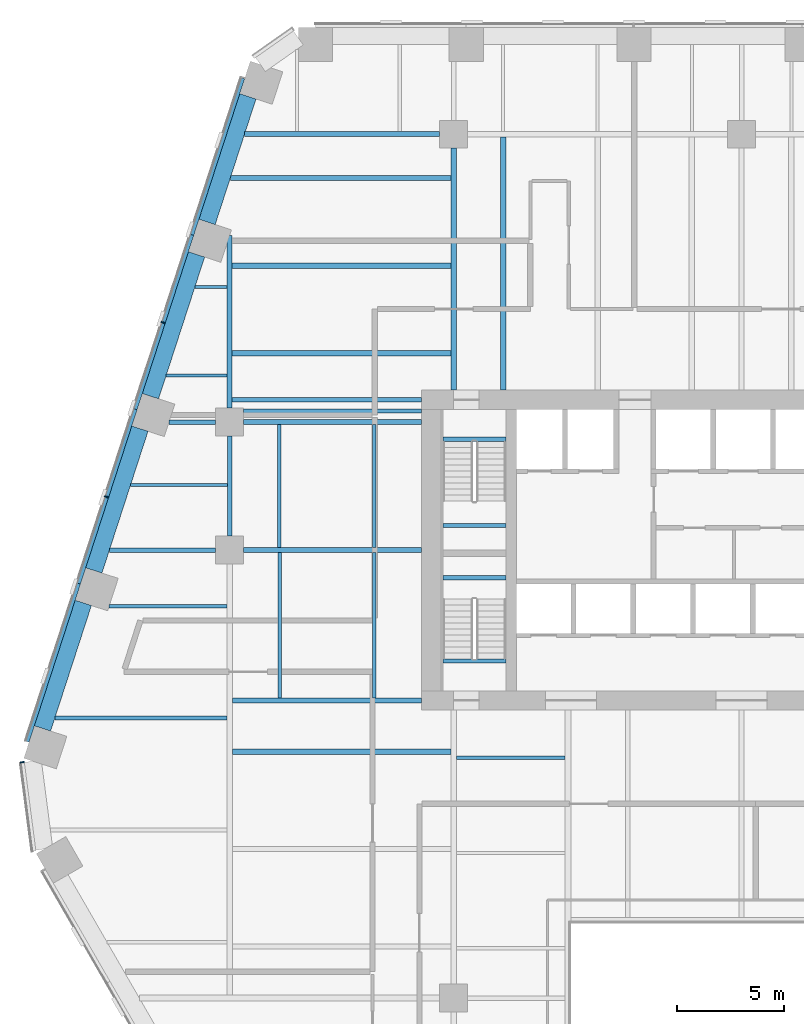
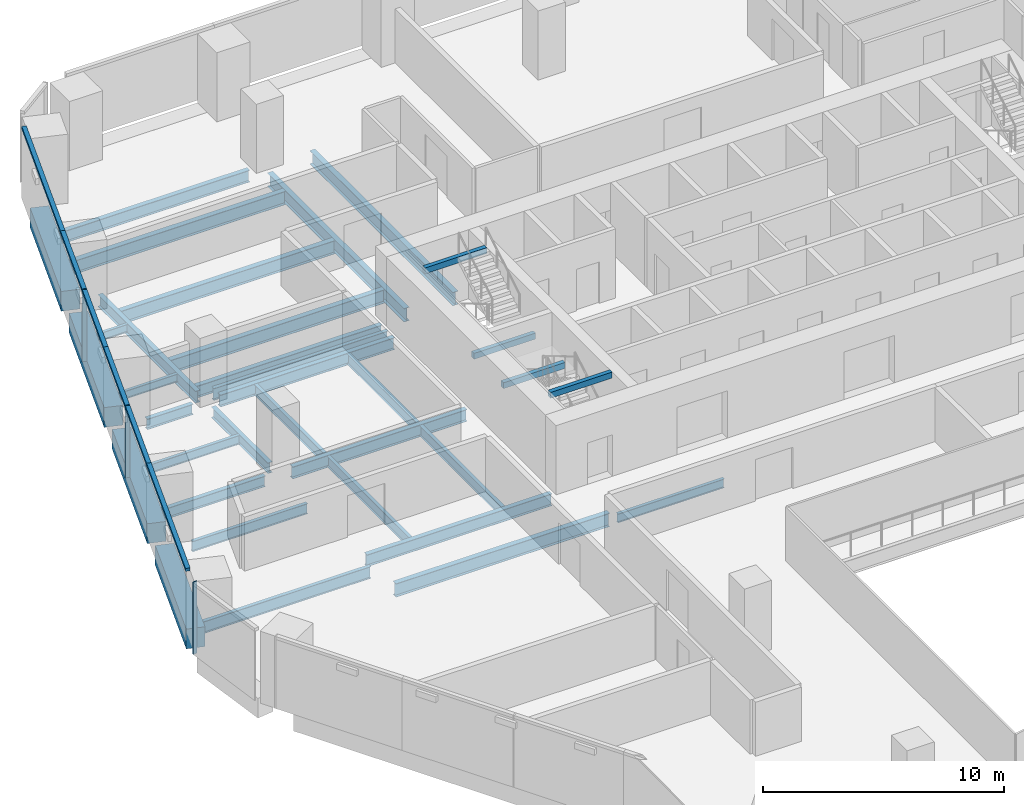
# One storey, part 8 of 21: 34 beams, 9 members, 2 elements without a shape of their own.
"""IFC4 building model written with IfcOpenShell, lengths in metres."""

from ifc_helpers import new_model, si_unit, direction, frame, origin, origin_2d, place, context, subcontext, project, spatial, rectangle, i_section, extrude, material, layer, layer_set, material_profile, profile_set, type_object, element, aggregate, save


model = new_model("IFC4")

# Units and contexts
model_context = context("Model", 3, precision=1e-05, world=origin(), true_north=direction((0.0, 1.0)))
body_context = subcontext(model_context, "Body", "Model", "MODEL_VIEW")
ifc_project = project(units=[si_unit("LENGTHUNIT", "METRE"), si_unit("AREAUNIT", "SQUARE_METRE"), si_unit("VOLUMEUNIT", "CUBIC_METRE"), si_unit("PLANEANGLEUNIT", "RADIAN"), si_unit("MASSUNIT", "GRAM", prefix="KILO")], contexts=[model_context])

# Site, building, storey
site_placement = place(None, origin())
site = spatial("IfcSite", under=ifc_project, at=site_placement, CompositionType="ELEMENT")
building_placement = place(site_placement, origin())
building = spatial("IfcBuilding", under=site, at=building_placement, Name="Isthmus Gate Tower", CompositionType="ELEMENT")
storey_placement = place(building_placement, frame((0.0, 0.0, 109.85009765625)))
storey = spatial("IfcBuildingStorey", under=building, at=storey_placement, Name="L26", CompositionType="ELEMENT", Elevation=109.85009765625)

# Curtain wall, members
ifc_material_1 = material(Name="Aluminium, pale champagne anodised", Category="aluminium")
ifc_layer = layer(ifc_material_1, 0.199951171875)
ifc_layer_set = layer_set([ifc_layer], Name="CW-1 UNITISED CURTAIN WALL 200 DEEP")
curtain_wall_type = type_object("IfcCurtainWallType", Name="CW-1 UNITISED CURTAIN WALL 200 DEEP", PredefinedType="NOTDEFINED", material=ifc_layer_set)
curtain_wall_1_placement = place(storey_placement, origin())
curtain_wall_1 = element("IfcCurtainWall", 1, at=curtain_wall_1_placement, inside=storey, type_object=curtain_wall_type, Name="CW-1 NW L26", PredefinedType="NOTDEFINED")
ifc_material_2 = material(Name="Aluminium, pale champagne anodised", Category="aluminium")
ifc_material_profile_1 = material_profile(ifc_material_2, rectangle(XDim=0.06005859375, YDim=0.199951171875, at=origin_2d()), Name="60x200")
ifc_profile_set_1 = profile_set([ifc_material_profile_1], Name="Aluminium, pale champagne anodised")
member_type_1 = type_object("IfcMemberType", Name="CW-1 MULLION 60 X 200", PredefinedType="MULLION", material=ifc_profile_set_1)
member_1_placement = place(storey_placement, frame((-27.11474609375, 18.163818359375, 0.0), z_axis=(0.0, 0.0, 1.0), x_axis=(-0.309016994375, -0.951056516295, 0.0)))
member_1 = element("IfcMember", 2, at=member_1_placement, type_object=member_type_1, Name="CW-1 mullion", PredefinedType="MULLION", context=body_context, shape_type="SweptSolid", body=[
    extrude(rectangle(XDim=0.06005859375, YDim=0.199951171875, at=origin_2d()), origin(), (0.0, 0.0, 1.0), 3.64990234375),
])
member_2_placement = place(storey_placement, frame((-29.76904296875, 9.994873046875, 0.0), z_axis=(0.0, 0.0, 1.0), x_axis=(-0.309016994375, -0.951056516295, 0.0)))
member_2 = element("IfcMember", 3, at=member_2_placement, type_object=member_type_1, Name="CW-1 mullion", PredefinedType="MULLION", context=body_context, shape_type="SweptSolid", body=[
    extrude(rectangle(XDim=0.06005859375, YDim=0.199951171875, at=origin_2d()), origin(), (0.0, 0.0, 1.0), 3.64990234375),
])

# Curtain wall, member
curtain_wall_2_placement = place(storey_placement, origin())
curtain_wall_2 = element("IfcCurtainWall", 4, at=curtain_wall_2_placement, inside=storey, type_object=curtain_wall_type, Name="CW-1 NW-SW L26", PredefinedType="NOTDEFINED")
member_3_placement = place(storey_placement, frame((-33.722900390625, -2.44482421875, 0.0), z_axis=(0.0, 0.0, 1.0), x_axis=(0.129164534, -0.991623175988, 0.0)))
member_3 = element("IfcMember", 5, at=member_3_placement, type_object=member_type_1, Name="CW-1 mullion", PredefinedType="MULLION", context=body_context, shape_type="SweptSolid", body=[
    extrude(rectangle(XDim=0.06005859375, YDim=0.199951171875, at=origin_2d()), origin(), (0.0, 0.0, 1.0), 3.64990234375),
])
aggregate(curtain_wall_2, [member_3])

# Member
ifc_material_3 = material(Name="Aluminium, pale champagne anodised", Category="aluminium")
ifc_material_profile_2 = material_profile(ifc_material_3, rectangle(XDim=0.199951171875, YDim=0.14990234375, at=origin_2d()), Name="200x150")
ifc_profile_set_2 = profile_set([ifc_material_profile_2], Name="Aluminium, pale champagne anodised")
member_type_2 = type_object("IfcMemberType", Name="CW-1 TRANSOM 200 X 150", PredefinedType="USERDEFINED", material=ifc_profile_set_2)
member_4_placement = place(storey_placement, frame((-23.389892578125, 29.6279296875, 3.574951171875), z_axis=(-0.309036077329, -0.951050315656, 0.0), x_axis=(0.951050315656, -0.309036077329, 0.0)))
member_4 = element("IfcMember", 6, at=member_4_placement, type_object=member_type_2, Name="CW-1 transom", ObjectType="TRANSOM", PredefinedType="USERDEFINED", context=body_context, shape_type="SweptSolid", body=[
    extrude(rectangle(XDim=0.199951171875, YDim=0.14990234375, at=origin_2d()), origin(), (0.0, 0.0, 1.0), 7.7294921875),
])

member_5_placement = place(storey_placement, frame((-25.778564453125, 22.27685546875, 3.574951171875), z_axis=(-0.309021801109, -0.951054954479, 0.0), x_axis=(0.951054954479, -0.309021801109, 0.0)))
member_5 = element("IfcMember", 7, at=member_5_placement, type_object=member_type_2, Name="CW-1 transom", ObjectType="TRANSOM", PredefinedType="USERDEFINED", context=body_context, shape_type="SweptSolid", body=[
    extrude(rectangle(XDim=0.199951171875, YDim=0.14990234375, at=origin_2d()), origin(), (0.0, 0.0, 1.0), 4.294677734375),
])

member_6_placement = place(storey_placement, frame((-27.1240234375, 18.13525390625, 3.574951171875), z_axis=(-0.309023496777, -0.951054403512, 0.0), x_axis=(0.951054403512, -0.309023496777, 0.0)))
member_6 = element("IfcMember", 8, at=member_6_placement, type_object=member_type_2, Name="CW-1 transom", ObjectType="TRANSOM", PredefinedType="USERDEFINED", context=body_context, shape_type="SweptSolid", body=[
    extrude(rectangle(XDim=0.199951171875, YDim=0.14990234375, at=origin_2d()), origin(), (0.0, 0.0, 1.0), 4.234619140625),
])

member_7_placement = place(storey_placement, frame((-28.4326171875, 14.10791015625, 3.574951171875), z_axis=(-0.309021801109, -0.951054954479, 0.0), x_axis=(0.951054954479, -0.309021801109, 0.0)))
member_7 = element("IfcMember", 9, at=member_7_placement, type_object=member_type_2, Name="CW-1 transom", ObjectType="TRANSOM", PredefinedType="USERDEFINED", context=body_context, shape_type="SweptSolid", body=[
    extrude(rectangle(XDim=0.199951171875, YDim=0.14990234375, at=origin_2d()), origin(), (0.0, 0.0, 1.0), 4.294677734375),
])

member_8_placement = place(storey_placement, frame((-29.7783203125, 9.96630859375, 3.574951171875), z_axis=(-0.309023496777, -0.951054403512, 0.0), x_axis=(0.951054403512, -0.309023496777, 0.0)))
member_8 = element("IfcMember", 10, at=member_8_placement, type_object=member_type_2, Name="CW-1 transom", ObjectType="TRANSOM", PredefinedType="USERDEFINED", context=body_context, shape_type="SweptSolid", body=[
    extrude(rectangle(XDim=0.199951171875, YDim=0.14990234375, at=origin_2d()), origin(), (0.0, 0.0, 1.0), 4.234619140625),
])

member_9_placement = place(storey_placement, frame((-31.0869140625, 5.93896484375, 3.574951171875), z_axis=(-0.309015907338, -0.951056869494, 0.0), x_axis=(0.951056869494, -0.309015907338, 0.0)))
member_9 = element("IfcMember", 11, at=member_9_placement, type_object=member_type_2, Name="CW-1 transom", ObjectType="TRANSOM", PredefinedType="USERDEFINED", context=body_context, shape_type="SweptSolid", body=[
    extrude(rectangle(XDim=0.199951171875, YDim=0.14990234375, at=origin_2d()), origin(), (0.0, 0.0, 1.0), 7.789306640625),
])

aggregate(curtain_wall_1, [member_4, member_5, member_1, member_6, member_7, member_2, member_8, member_9])

# Beams
ifc_material_4 = material(Name="Concrete f'c 70 MPa", Category="concrete")
ifc_material_profile_3 = material_profile(ifc_material_4, rectangle(XDim=0.800048828125, YDim=1.0, at=origin_2d()), Name="RC 800X1000")
ifc_profile_set_3 = profile_set([ifc_material_profile_3], Name="Concrete f'c 70 MPa")
beam_type_1 = type_object("IfcBeamType", Name="RC SPANDREL 800 X 1000", PredefinedType="SPANDREL", material=ifc_profile_set_3)
beam_1_placement = place(storey_placement, frame((-32.771240234375, -0.86279296875, -0.5), z_axis=(0.309012042366, 0.951058125286, 0.0), x_axis=(-0.951058125286, 0.309012042366, 0.0)))
element("IfcBeam", 12, at=beam_1_placement, inside=storey, type_object=beam_type_1, Name="str-spandrel-L26-18", PredefinedType="SPANDREL", context=body_context, shape_type="SweptSolid", body=[
    extrude(rectangle(XDim=0.800048828125, YDim=1.0, at=origin_2d()), origin(), (0.0, 0.0, 1.0), 6.189453125),
])
for number, where, z_axis, x_axis, name in (
    (13, (-30.3642578125, 6.54541015625, -0.5), (0.309029993465, 0.951052292537, 0.0), (-0.951052292537, 0.309029993465, 0.0), "str-spandrel-L26-19"),
    (14, (-27.7099609375, 14.71435546875, -0.5), (0.309029993465, 0.951052292537, 0.0), (-0.951052292537, 0.309029993465, 0.0), "str-spandrel-L26-20"),
):
    element("IfcBeam", number, at=place(storey_placement, frame(where, z_axis=z_axis, x_axis=x_axis)), inside=storey, type_object=beam_type_1, Name=name, PredefinedType="SPANDREL", context=body_context, shape_type="SweptSolid", body=[
        extrude(rectangle(XDim=0.800048828125, YDim=1.0, at=origin_2d()), origin(), (0.0, 0.0, 1.0), 6.9892578125),
    ])
beam_2_placement = place(storey_placement, frame((-25.0556640625, 22.88330078125, -0.5), z_axis=(0.309023635203, 0.951054358534, 0.0), x_axis=(-0.951054358534, 0.309023635203, 0.0)))
element("IfcBeam", 15, at=beam_2_placement, inside=storey, type_object=beam_type_1, Name="str-spandrel-L26-21", PredefinedType="SPANDREL", context=body_context, shape_type="SweptSolid", body=[
    extrude(rectangle(XDim=0.800048828125, YDim=1.0, at=origin_2d()), origin(), (0.0, 0.0, 1.0), 6.189208984375),
])
ifc_material_5 = material(Name="Concrete f'c 40 MPa", Category="concrete")
ifc_material_profile_4 = material_profile(ifc_material_5, rectangle(XDim=0.199951171875, YDim=0.300048828125, at=origin_2d()), Name="STAIR LANDING BEAM RC 200 X 300")
ifc_profile_set_4 = profile_set([ifc_material_profile_4], Name="Concrete f'c 40 MPa")
beam_type_2 = type_object("IfcBeamType", Name="STAIR LANDING BEAM RC 200 X 300", PredefinedType="BEAM", material=ifc_profile_set_4)
for number, where, z_axis, x_axis, name in (
    (16, (-14.0, 8.64990234375, 1.474853515625), (1.0, 0.0, 0.0), (0.0, 1.0, 0.0), "L26 ST1 landing beam 1"),
    (17, (-14.0, 12.7001953125, 3.349853515625), (1.0, 0.0, 0.0), (0.0, 1.0, 0.0), "L26 ST1 floor-edge seat beam"),
    (18, (-14.0, 6.199951171875, 1.474853515625), (1.0, 0.0, 0.0), (0.0, 1.0, 0.0), "L26 ST7 landing beam 1"),
    (19, (-14.0, 2.2998046875, 3.349853515625), (1.0, 0.0, 0.0), (0.0, 1.0, 0.0), "L26 ST7 floor-edge seat beam"),
):
    element("IfcBeam", number, at=place(storey_placement, frame(where, z_axis=z_axis, x_axis=x_axis)), inside=storey, type_object=beam_type_2, Name=name, PredefinedType="BEAM", context=body_context, shape_type="SweptSolid", body=[
        extrude(rectangle(XDim=0.199951171875, YDim=0.300048828125, at=origin_2d()), origin(), (0.0, 0.0, 1.0), 2.949951171875),
    ])
ifc_material_6 = material(Name="Structural steel ASTM A992 Gr 50", Category="steel")
ifc_material_profile_5 = material_profile(ifc_material_6, i_section(OverallWidth=0.1396484375, OverallDepth=0.4033203125, WebThickness=0.00634765625, FlangeThickness=0.010986328125, at=origin_2d()), Name="W16X31")
ifc_profile_set_5 = profile_set([ifc_material_profile_5], Name="Structural steel ASTM A992 Gr 50")
beam_type_3 = type_object("IfcBeamType", Name="STEEL FLOOR BEAM W16X31", PredefinedType="JOIST", material=ifc_profile_set_5)
beam_3_placement = place(storey_placement, frame((-26.976318359375, 15.677978515625, -0.351806640625), z_axis=(1.0, 0.0, 0.0), x_axis=(0.0, 1.0, 0.0)))
element("IfcBeam", 20, at=beam_3_placement, inside=storey, type_object=beam_type_3, Name="str-beam-L26-02-00", PredefinedType="JOIST", context=body_context, shape_type="SweptSolid", body=[
    extrude(i_section(OverallWidth=0.1396484375, OverallDepth=0.4033203125, WebThickness=0.00634765625, FlangeThickness=0.010986328125, at=origin_2d()), origin(), (0.0, 0.0, 1.0), 2.862060546875),
])
beam_4_placement = place(storey_placement, frame((-25.629150390625, 19.82421875, -0.351806640625), z_axis=(1.0, 0.0, 0.0), x_axis=(0.0, 1.0, 0.0)))
element("IfcBeam", 21, at=beam_4_placement, inside=storey, type_object=beam_type_3, Name="str-beam-L26-02-01", PredefinedType="JOIST", context=body_context, shape_type="SweptSolid", body=[
    extrude(i_section(OverallWidth=0.1396484375, OverallDepth=0.4033203125, WebThickness=0.00634765625, FlangeThickness=0.010986328125, at=origin_2d()), origin(), (0.0, 0.0, 1.0), 1.514892578125),
])
ifc_material_7 = material(Name="Structural steel ASTM A992 Gr 50", Category="steel")
ifc_material_profile_6 = material_profile(ifc_material_7, i_section(OverallWidth=0.15234375, OverallDepth=0.45068359375, WebThickness=0.0078125, FlangeThickness=0.010986328125, at=origin_2d()), Name="W18X35")
ifc_profile_set_6 = profile_set([ifc_material_profile_6], Name="Structural steel ASTM A992 Gr 50")
beam_type_4 = type_object("IfcBeamType", Name="STEEL FLOOR BEAM W18X35", PredefinedType="JOIST", material=ifc_profile_set_6)
beam_5_placement = place(storey_placement, frame((-28.6416015625, 10.552490234375, -0.37548828125), z_axis=(1.0, 0.0, 0.0), x_axis=(0.0, 1.0, 0.0)))
element("IfcBeam", 22, at=beam_5_placement, inside=storey, type_object=beam_type_4, Name="str-beam-L26-01-00", PredefinedType="JOIST", context=body_context, shape_type="SweptSolid", body=[
    extrude(i_section(OverallWidth=0.15234375, OverallDepth=0.45068359375, WebThickness=0.0078125, FlangeThickness=0.010986328125, at=origin_2d()), origin(), (0.0, 0.0, 1.0), 4.536865234375),
])
beam_6_placement = place(storey_placement, frame((-13.3681640625, -2.232421875, -0.37548828125), z_axis=(1.0, 0.0, 0.0), x_axis=(0.0, 1.0, 0.0)))
element("IfcBeam", 23, at=beam_6_placement, inside=storey, type_object=beam_type_4, Name="str-beam-L26-12-02", PredefinedType="JOIST", context=body_context, shape_type="SweptSolid", body=[
    extrude(i_section(OverallWidth=0.15234375, OverallDepth=0.45068359375, WebThickness=0.0078125, FlangeThickness=0.010986328125, at=origin_2d()), origin(), (0.0, 0.0, 1.0), 5.1015625),
])
ifc_material_8 = material(Name="Structural steel ASTM A992 Gr 50", Category="steel")
ifc_material_profile_7 = material_profile(ifc_material_8, i_section(OverallWidth=0.1650390625, OverallDepth=0.52392578125, WebThickness=0.009521484375, FlangeThickness=0.010986328125, at=origin_2d()), Name="W21X44")
ifc_profile_set_7 = profile_set([ifc_material_profile_7], Name="Structural steel ASTM A992 Gr 50")
beam_type_5 = type_object("IfcBeamType", Name="STEEL FLOOR BEAM W21X44", PredefinedType="JOIST", material=ifc_profile_set_7)
beam_7_placement = place(storey_placement, frame((-29.645263671875, 4.875, -0.412109375), z_axis=(1.0, 0.0, 0.0), x_axis=(0.0, 1.0, 0.0)))
element("IfcBeam", 24, at=beam_7_placement, inside=storey, type_object=beam_type_5, Name="str-beam-L26-00-03", PredefinedType="JOIST", context=body_context, shape_type="SweptSolid", body=[
    extrude(i_section(OverallWidth=0.1650390625, OverallDepth=0.52392578125, WebThickness=0.009521484375, FlangeThickness=0.010986328125, at=origin_2d()), origin(), (0.0, 0.0, 1.0), 5.511962890625),
])
for number, where, z_axis, x_axis, name in (
    (25, (-21.64990234375, 0.564208984375, -0.412109375), (0.0, 1.0, 0.0), (-1.0, 0.0, 0.0), "str-beam-L26-03-00"),
    (26, (-17.216552734375, 0.564208984375, -0.412109375), (0.0, 1.0, 0.0), (-1.0, 0.0, 0.0), "str-beam-L26-03-01"),
):
    element("IfcBeam", number, at=place(storey_placement, frame(where, z_axis=z_axis, x_axis=x_axis)), inside=storey, type_object=beam_type_5, Name=name, PredefinedType="JOIST", context=body_context, shape_type="SweptSolid", body=[
        extrude(i_section(OverallWidth=0.1650390625, OverallDepth=0.52392578125, WebThickness=0.009521484375, FlangeThickness=0.010986328125, at=origin_2d()), origin(), (0.0, 0.0, 1.0), 6.821533203125),
    ])
for number, where, z_axis, x_axis, name in (
    (27, (-21.67138671875, 7.6142578125, -0.412109375), (0.0, 1.0, 0.0), (-1.0, 0.0, 0.0), "str-beam-L26-04-00"),
    (28, (-17.223876953125, 7.6142578125, -0.412109375), (0.0, 1.0, 0.0), (-1.0, 0.0, 0.0), "str-beam-L26-04-01"),
):
    element("IfcBeam", number, at=place(storey_placement, frame(where, z_axis=z_axis, x_axis=x_axis)), inside=storey, type_object=beam_type_5, Name=name, PredefinedType="JOIST", context=body_context, shape_type="SweptSolid", body=[
        extrude(i_section(OverallWidth=0.1650390625, OverallDepth=0.52392578125, WebThickness=0.009521484375, FlangeThickness=0.010986328125, at=origin_2d()), origin(), (0.0, 0.0, 1.0), 5.771484375),
    ])
ifc_material_9 = material(Name="Structural steel ASTM A992 Gr 50", Category="steel")
ifc_material_profile_8 = material_profile(ifc_material_9, i_section(OverallWidth=0.177734375, OverallDepth=0.60009765625, WebThickness=0.009521484375, FlangeThickness=0.0126953125, at=origin_2d()), Name="W24X55")
ifc_profile_set_8 = profile_set([ifc_material_profile_8], Name="Structural steel ASTM A992 Gr 50")
beam_type_6 = type_object("IfcBeamType", Name="STEEL FLOOR BEAM W24X55", PredefinedType="JOIST", material=ifc_profile_set_8)
beam_8_placement = place(storey_placement, frame((-32.192138671875, -0.375, -0.4501953125), z_axis=(1.0, 0.0, 0.0), x_axis=(0.0, 1.0, 0.0)))
element("IfcBeam", 29, at=beam_8_placement, inside=storey, type_object=beam_type_6, Name="str-beam-L26-00-02", PredefinedType="JOIST", context=body_context, shape_type="SweptSolid", body=[
    extrude(i_section(OverallWidth=0.177734375, OverallDepth=0.60009765625, WebThickness=0.009521484375, FlangeThickness=0.0126953125, at=origin_2d()), origin(), (0.0, 0.0, 1.0), 8.058837890625),
])
beam_9_placement = place(storey_placement, frame((-23.35009765625, 14.02490234375, -0.4501953125), z_axis=(1.0, 0.0, 0.0), x_axis=(0.0, 1.0, 0.0)))
element("IfcBeam", 30, at=beam_9_placement, inside=storey, type_object=beam_type_6, Name="str-beam-L26-05-00", PredefinedType="JOIST", context=body_context, shape_type="SweptSolid", body=[
    extrude(i_section(OverallWidth=0.177734375, OverallDepth=0.60009765625, WebThickness=0.009521484375, FlangeThickness=0.0126953125, at=origin_2d()), origin(), (0.0, 0.0, 1.0), 8.35009765625),
])
ifc_material_10 = material(Name="Structural steel ASTM A992 Gr 50", Category="steel")
ifc_material_profile_9 = material_profile(ifc_material_10, i_section(OverallWidth=0.25390625, OverallDepth=0.679443359375, WebThickness=0.010986328125, FlangeThickness=0.015869140625, at=origin_2d()), Name="W27X84")
ifc_profile_set_9 = profile_set([ifc_material_profile_9], Name="Structural steel ASTM A992 Gr 50")
beam_type_7 = type_object("IfcBeamType", Name="STEEL FLOOR BEAM W27X84", PredefinedType="JOIST", material=ifc_profile_set_9)
for number, where, z_axis, x_axis, name in (
    (31, (-23.8857421875, 16.72021484375, -0.48974609375), (1.0, 0.0, 0.0), (0.0, 1.0, 0.0), "str-beam-L26-07-00"),
    (32, (-23.8857421875, 20.83203125, -0.48974609375), (1.0, 0.0, 0.0), (0.0, 1.0, 0.0), "str-beam-L26-07-01"),
):
    element("IfcBeam", number, at=place(storey_placement, frame(where, z_axis=z_axis, x_axis=x_axis)), inside=storey, type_object=beam_type_7, Name=name, PredefinedType="JOIST", context=body_context, shape_type="SweptSolid", body=[
        extrude(i_section(OverallWidth=0.25390625, OverallDepth=0.679443359375, WebThickness=0.010986328125, FlangeThickness=0.015869140625, at=origin_2d()), origin(), (0.0, 0.0, 1.0), 10.2587890625),
    ])
beam_10_placement = place(storey_placement, frame((-23.965576171875, 24.944091796875, -0.48974609375), z_axis=(1.0, 0.0, 0.0), x_axis=(0.0, 1.0, 0.0)))
element("IfcBeam", 33, at=beam_10_placement, inside=storey, type_object=beam_type_7, Name="str-beam-L26-07-02", PredefinedType="JOIST", context=body_context, shape_type="SweptSolid", body=[
    extrude(i_section(OverallWidth=0.25390625, OverallDepth=0.679443359375, WebThickness=0.010986328125, FlangeThickness=0.015869140625, at=origin_2d()), origin(), (0.0, 0.0, 1.0), 10.338623046875),
])
beam_11_placement = place(storey_placement, frame((-23.86669921875, -1.947998046875, -0.48974609375), z_axis=(1.0, 0.0, 0.0), x_axis=(0.0, 1.0, 0.0)))
element("IfcBeam", 34, at=beam_11_placement, inside=storey, type_object=beam_type_7, Name="str-beam-L26-08-02", PredefinedType="JOIST", context=body_context, shape_type="SweptSolid", body=[
    extrude(i_section(OverallWidth=0.25390625, OverallDepth=0.679443359375, WebThickness=0.010986328125, FlangeThickness=0.015869140625, at=origin_2d()), origin(), (0.0, 0.0, 1.0), 10.23486328125),
])
beam_12_placement = place(storey_placement, frame((-11.165283203125, 15.0, -0.48974609375), z_axis=(0.0, 1.0, 0.0), x_axis=(-1.0, 0.0, 0.0)))
element("IfcBeam", 35, at=beam_12_placement, inside=storey, type_object=beam_type_7, Name="str-beam-L26-14-00", PredefinedType="JOIST", context=body_context, shape_type="SweptSolid", body=[
    extrude(i_section(OverallWidth=0.25390625, OverallDepth=0.679443359375, WebThickness=0.010986328125, FlangeThickness=0.015869140625, at=origin_2d()), origin(), (0.0, 0.0, 1.0), 11.8681640625),
])
ifc_material_11 = material(Name="Structural steel ASTM A992 Gr 50", Category="steel")
ifc_material_profile_10 = material_profile(ifc_material_11, i_section(OverallWidth=0.20947265625, OverallDepth=0.533447265625, WebThickness=0.009521484375, FlangeThickness=0.015869140625, at=origin_2d()), Name="W21X62")
ifc_profile_set_10 = profile_set([ifc_material_profile_10], Name="Structural steel ASTM A992 Gr 50")
beam_type_8 = type_object("IfcBeamType", Name="STEEL GIRDER W21X62", PredefinedType="BEAM", material=ifc_profile_set_10)
beam_13_placement = place(storey_placement, frame((-29.633544921875, 7.5, -0.416748046875), z_axis=(1.0, 0.0, 0.0), x_axis=(0.0, 1.0, 0.0)))
element("IfcBeam", 36, at=beam_13_placement, inside=storey, type_object=beam_type_8, Name="str-girder-L26-09", PredefinedType="BEAM", context=body_context, shape_type="SweptSolid", body=[
    extrude(i_section(OverallWidth=0.20947265625, OverallDepth=0.533447265625, WebThickness=0.009521484375, FlangeThickness=0.015869140625, at=origin_2d()), origin(), (0.0, 0.0, 1.0), 4.983642578125),
])
beam_14_placement = place(storey_placement, frame((-26.8427734375, 13.5, -0.416748046875), z_axis=(1.0, 0.0, 0.0), x_axis=(0.0, 1.0, 0.0)))
element("IfcBeam", 37, at=beam_14_placement, inside=storey, type_object=beam_type_8, Name="str-girder-L26-13", PredefinedType="BEAM", context=body_context, shape_type="SweptSolid", body=[
    extrude(i_section(OverallWidth=0.20947265625, OverallDepth=0.533447265625, WebThickness=0.009521484375, FlangeThickness=0.015869140625, at=origin_2d()), origin(), (0.0, 0.0, 1.0), 2.19287109375),
])
beam_15_placement = place(storey_placement, frame((-24.0, 8.14990234375, -0.416748046875), z_axis=(0.0, 1.0, 0.0), x_axis=(-1.0, 0.0, 0.0)))
element("IfcBeam", 38, at=beam_15_placement, inside=storey, type_object=beam_type_8, Name="str-girder-L26-22", PredefinedType="BEAM", context=body_context, shape_type="SweptSolid", body=[
    extrude(i_section(OverallWidth=0.20947265625, OverallDepth=0.533447265625, WebThickness=0.009521484375, FlangeThickness=0.015869140625, at=origin_2d()), origin(), (0.0, 0.0, 1.0), 4.7001953125),
])
ifc_material_12 = material(Name="Structural steel ASTM A992 Gr 50", Category="steel")
ifc_material_profile_11 = material_profile(ifc_material_12, i_section(OverallWidth=0.228515625, OverallDepth=0.6064453125, WebThickness=0.010986328125, FlangeThickness=0.017578125, at=origin_2d()), Name="W24X76")
ifc_profile_set_11 = profile_set([ifc_material_profile_11], Name="Structural steel ASTM A992 Gr 50")
beam_type_9 = type_object("IfcBeamType", Name="STEEL GIRDER W24X76", PredefinedType="BEAM", material=ifc_profile_set_11)
for number, where, z_axis, x_axis, name in (
    (39, (-23.35009765625, 7.5, -0.453369140625), (1.0, 0.0, 0.0), (0.0, 1.0, 0.0), "str-girder-L26-10"),
    (40, (-23.35009765625, 13.5, -0.453369140625), (1.0, 0.0, 0.0), (0.0, 1.0, 0.0), "str-girder-L26-14"),
):
    element("IfcBeam", number, at=place(storey_placement, frame(where, z_axis=z_axis, x_axis=x_axis)), inside=storey, type_object=beam_type_9, Name=name, PredefinedType="BEAM", context=body_context, shape_type="SweptSolid", body=[
        extrude(i_section(OverallWidth=0.228515625, OverallDepth=0.6064453125, WebThickness=0.010986328125, FlangeThickness=0.017578125, at=origin_2d()), origin(), (0.0, 0.0, 1.0), 8.35009765625),
    ])
beam_16_placement = place(storey_placement, frame((-23.297607421875, 27.0, -0.453369140625), z_axis=(1.0, 0.0, 0.0), x_axis=(0.0, 1.0, 0.0)))
element("IfcBeam", 41, at=beam_16_placement, inside=storey, type_object=beam_type_9, Name="str-girder-L26-17", PredefinedType="BEAM", context=body_context, shape_type="SweptSolid", body=[
    extrude(i_section(OverallWidth=0.228515625, OverallDepth=0.6064453125, WebThickness=0.010986328125, FlangeThickness=0.017578125, at=origin_2d()), origin(), (0.0, 0.0, 1.0), 9.147705078125),
])
beam_17_placement = place(storey_placement, frame((-24.0, 14.14990234375, -0.453369140625), z_axis=(0.0, 1.0, 0.0), x_axis=(-1.0, 0.0, 0.0)))
element("IfcBeam", 42, at=beam_17_placement, inside=storey, type_object=beam_type_9, Name="str-girder-L26-23", PredefinedType="BEAM", context=body_context, shape_type="SweptSolid", body=[
    extrude(i_section(OverallWidth=0.228515625, OverallDepth=0.6064453125, WebThickness=0.010986328125, FlangeThickness=0.017578125, at=origin_2d()), origin(), (0.0, 0.0, 1.0), 8.099365234375),
])
beam_18_placement = place(storey_placement, frame((-15.0, 0.449951171875, -0.453369140625), z_axis=(-1.0, 0.0, 0.0), x_axis=(0.0, -1.0, 0.0)))
element("IfcBeam", 43, at=beam_18_placement, inside=storey, type_object=beam_type_9, Name="str-girder-L26-39", PredefinedType="BEAM", context=body_context, shape_type="SweptSolid", body=[
    extrude(i_section(OverallWidth=0.228515625, OverallDepth=0.6064453125, WebThickness=0.010986328125, FlangeThickness=0.017578125, at=origin_2d()), origin(), (0.0, 0.0, 1.0), 8.86669921875),
])
beam_19_placement = place(storey_placement, frame((-15.0, 14.550048828125, -0.453369140625), z_axis=(-1.0, 0.0, 0.0), x_axis=(0.0, -1.0, 0.0)))
element("IfcBeam", 44, at=beam_19_placement, inside=storey, type_object=beam_type_9, Name="str-girder-L26-41", PredefinedType="BEAM", context=body_context, shape_type="SweptSolid", body=[
    extrude(i_section(OverallWidth=0.228515625, OverallDepth=0.6064453125, WebThickness=0.010986328125, FlangeThickness=0.017578125, at=origin_2d()), origin(), (0.0, 0.0, 1.0), 8.8857421875),
])
ifc_material_13 = material(Name="Structural steel ASTM A992 Gr 50", Category="steel")
ifc_material_profile_12 = material_profile(ifc_material_13, i_section(OverallWidth=0.25390625, OverallDepth=0.679443359375, WebThickness=0.010986328125, FlangeThickness=0.015869140625, at=origin_2d()), Name="W27X84")
ifc_profile_set_12 = profile_set([ifc_material_profile_12], Name="Structural steel ASTM A992 Gr 50")
beam_type_10 = type_object("IfcBeamType", Name="STEEL GIRDER W27X84", PredefinedType="BEAM", material=ifc_profile_set_12)
beam_20_placement = place(storey_placement, frame((-13.5, 15.0, -0.48974609375), z_axis=(0.0, 1.0, 0.0), x_axis=(-1.0, 0.0, 0.0)))
element("IfcBeam", 45, at=beam_20_placement, inside=storey, type_object=beam_type_10, Name="str-girder-L26-27", PredefinedType="BEAM", context=body_context, shape_type="SweptSolid", body=[
    extrude(i_section(OverallWidth=0.25390625, OverallDepth=0.679443359375, WebThickness=0.010986328125, FlangeThickness=0.015869140625, at=origin_2d()), origin(), (0.0, 0.0, 1.0), 11.35009765625),
])

save(model, "model.ifc")
